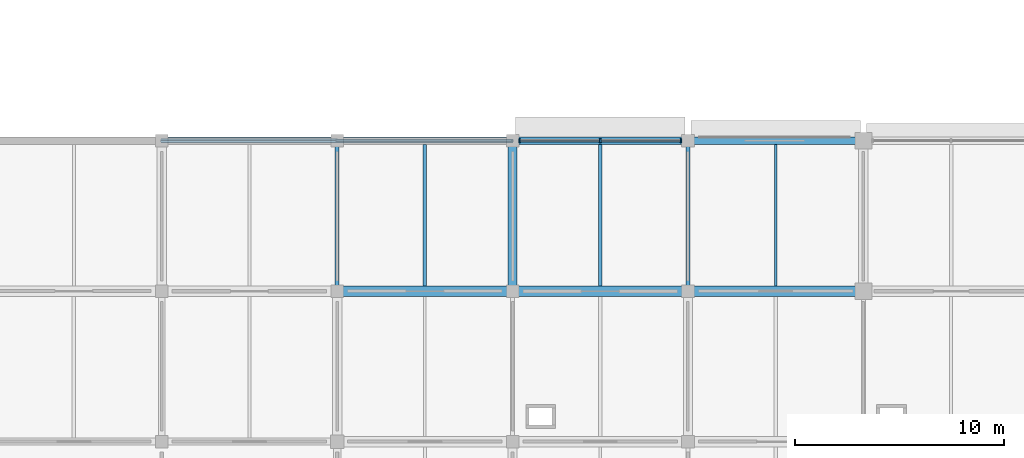
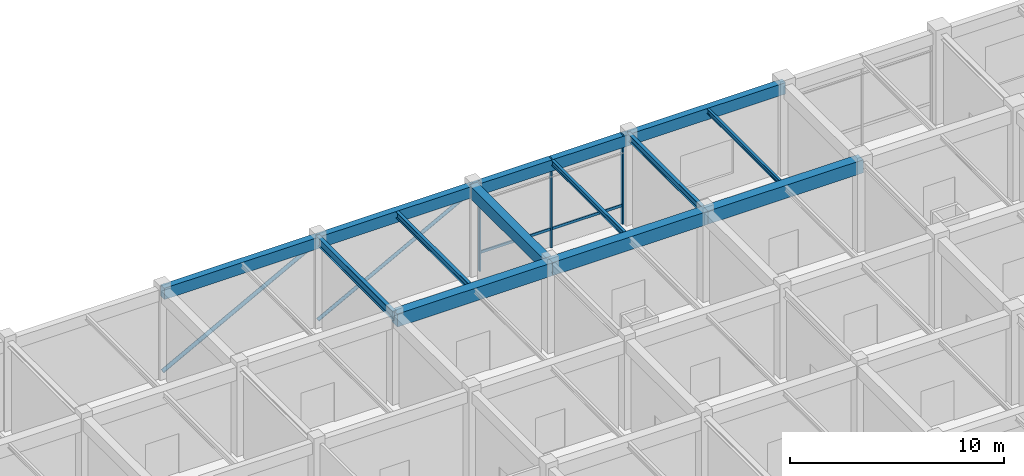
# One storey, part 11 of 38: 13 beams, 7 members, 1 element without a shape of its own.
"""IFC4 building model written with IfcOpenShell, lengths in metres."""

from ifc_helpers import new_model, si_unit, derived_unit, direction, frame, origin, origin_2d, place, context, subcontext, project, spatial, rectangle, hollow_circle, i_section, extrude, material, material_profile, profile_set, type_object, element, aggregate, save


model = new_model("IFC4")

# Units and contexts
model_context = context("Model", 3, precision=1e-05, world=origin(), true_north=direction((0.0, 1.0)))
body_context = subcontext(model_context, "Body", "Model", "MODEL_VIEW")
ifc_project = project(units=[si_unit("LENGTHUNIT", "METRE"), si_unit("AREAUNIT", "SQUARE_METRE"), si_unit("VOLUMEUNIT", "CUBIC_METRE"), si_unit("PLANEANGLEUNIT", "RADIAN"), si_unit("MASSUNIT", "GRAM", prefix="KILO"), derived_unit("THERMALTRANSMITTANCEUNIT", [(si_unit("MASSUNIT", "GRAM", prefix="KILO"), 1), (si_unit("TIMEUNIT", "SECOND"), -3), (si_unit("THERMODYNAMICTEMPERATUREUNIT", "KELVIN"), -1)])], contexts=[model_context])

# Site, building, storey
site_placement = place(None, origin())
site = spatial("IfcSite", under=ifc_project, at=site_placement, CompositionType="ELEMENT")
building_placement = place(site_placement, origin())
building = spatial("IfcBuilding", under=site, at=building_placement, Name="Veldstrom Oceanarium and Marine Research Institute", CompositionType="ELEMENT")
storey_placement = place(building_placement, frame((0.0, 0.0, 11.39990234375)))
storey = spatial("IfcBuildingStorey", under=building, at=storey_placement, Name="L02", CompositionType="ELEMENT", Elevation=11.39990234375)

# Curtain wall, members
ifc_material_1 = material(Name="Anodised Aluminium Framing", Category="aluminium")
curtain_wall_type = type_object("IfcCurtainWallType", Name="ARC-CW-CW02", PredefinedType="USERDEFINED", material=ifc_material_1)
curtain_wall_placement = place(storey_placement, origin())
curtain_wall = element("IfcCurtainWall", 1, at=curtain_wall_placement, inside=storey, type_object=curtain_wall_type, Name="Curtain Wall CW02 CW-L02-025", ObjectType="Curtain wall", PredefinedType="USERDEFINED")
ifc_material_2 = material(Name="Anodised Aluminium Framing", Category="aluminium")
ifc_material_profile_1 = material_profile(ifc_material_2, rectangle(XDim=0.074951171875, YDim=0.179931640625, at=origin_2d()), Name="ALU-MUL-75x180")
ifc_profile_set_1 = profile_set([ifc_material_profile_1], Name="Anodised Aluminium Framing")
member_type_1 = type_object("IfcMemberType", Name="ARC-MUL-ML1", PredefinedType="MULLION", material=ifc_profile_set_1)
member_1_placement = place(storey_placement, frame((50.739990234375, 72.0, 0.0), z_axis=(0.0, 0.0, 1.0), x_axis=(1.0, 0.0, 0.0)))
member_1 = element("IfcMember", 2, at=member_1_placement, type_object=member_type_1, Name="Curtain Wall Mullion CW-L02-025-MUL-1", PredefinedType="MULLION", context=body_context, shape_type="SweptSolid", body=[
    extrude(rectangle(XDim=0.074951171875, YDim=0.179931640625, at=origin_2d()), origin(), (0.0, 0.0, 1.0), 5.10009765625),
])
member_2_placement = place(storey_placement, frame((54.60009765625, 72.0, 0.0), z_axis=(0.0, 0.0, 1.0), x_axis=(1.0, 0.0, 0.0)))
member_2 = element("IfcMember", 3, at=member_2_placement, type_object=member_type_1, Name="Curtain Wall Mullion CW-L02-025-MUL-2", PredefinedType="MULLION", context=body_context, shape_type="SweptSolid", body=[
    extrude(rectangle(XDim=0.074951171875, YDim=0.179931640625, at=origin_2d()), origin(), (0.0, 0.0, 1.0), 5.10009765625),
])
member_3_placement = place(storey_placement, frame((58.4599609375, 72.0, 0.0), z_axis=(0.0, 0.0, 1.0), x_axis=(1.0, 0.0, 0.0)))
member_3 = element("IfcMember", 4, at=member_3_placement, type_object=member_type_1, Name="Curtain Wall Mullion CW-L02-025-MUL-3", PredefinedType="MULLION", context=body_context, shape_type="SweptSolid", body=[
    extrude(rectangle(XDim=0.074951171875, YDim=0.179931640625, at=origin_2d()), origin(), (0.0, 0.0, 1.0), 5.10009765625),
])
ifc_material_3 = material(Name="Anodised Aluminium Framing", Category="aluminium")
ifc_material_profile_2 = material_profile(ifc_material_3, rectangle(XDim=0.074951171875, YDim=0.14990234375, at=origin_2d()), Name="ALU-TRN-75x150")
ifc_profile_set_2 = profile_set([ifc_material_profile_2], Name="Anodised Aluminium Framing")
member_type_2 = type_object("IfcMemberType", Name="ARC-TRN-TR1", PredefinedType="USERDEFINED", material=ifc_profile_set_2)
member_4_placement = place(storey_placement, frame((50.780029296875, 72.0, 1.050048828125), z_axis=(1.0, 0.0, 0.0), x_axis=(0.0, 1.0, 0.0)))
member_4 = element("IfcMember", 5, at=member_4_placement, type_object=member_type_2, Name="Curtain Wall Transom CW-L02-025-TRN-1", ObjectType="Transom", PredefinedType="USERDEFINED", context=body_context, shape_type="SweptSolid", body=[
    extrude(rectangle(XDim=0.074951171875, YDim=0.14990234375, at=origin_2d()), origin(), (0.0, 0.0, 1.0), 3.780029296875),
])
member_5_placement = place(storey_placement, frame((54.639892578125, 72.0, 1.050048828125), z_axis=(1.0, 0.0, 0.0), x_axis=(0.0, 1.0, 0.0)))
member_5 = element("IfcMember", 6, at=member_5_placement, type_object=member_type_2, Name="Curtain Wall Transom CW-L02-025-TRN-2", ObjectType="Transom", PredefinedType="USERDEFINED", context=body_context, shape_type="SweptSolid", body=[
    extrude(rectangle(XDim=0.074951171875, YDim=0.14990234375, at=origin_2d()), origin(), (0.0, 0.0, 1.0), 3.780029296875),
])
aggregate(curtain_wall, [member_1, member_2, member_3, member_4, member_5])

# Beams
ifc_material_4 = material(Name="Concrete C40/50", Category="concrete")
ifc_material_profile_3 = material_profile(ifc_material_4, rectangle(XDim=0.5, YDim=0.75, at=origin_2d()), Name="RC-BM-500x750")
ifc_profile_set_3 = profile_set([ifc_material_profile_3], Name="Concrete C40/50")
beam_type_1 = type_object("IfcBeamType", Name="STR-BM-B03", PredefinedType="BEAM", material=ifc_profile_set_3)
beam_1_placement = place(storey_placement, frame((42.0, 64.800048828125, 4.72021484375), z_axis=(1.0, 0.0, 0.0), x_axis=(0.0, 1.0, 0.0)))
element("IfcBeam", 7, at=beam_1_placement, inside=storey, type_object=beam_type_1, Name="Primary Beam B03 L02-1528", PredefinedType="BEAM", context=body_context, shape_type="SweptSolid", body=[
    extrude(rectangle(XDim=0.5, YDim=0.75, at=origin_2d()), origin(), (0.0, 0.0, 1.0), 8.39990234375),
])
beam_2_placement = place(storey_placement, frame((50.39990234375, 64.800048828125, 4.72021484375), z_axis=(1.0, 0.0, 0.0), x_axis=(0.0, 1.0, 0.0)))
element("IfcBeam", 8, at=beam_2_placement, inside=storey, type_object=beam_type_1, Name="Primary Beam B03 L02-1539", PredefinedType="BEAM", context=body_context, shape_type="SweptSolid", body=[
    extrude(rectangle(XDim=0.5, YDim=0.75, at=origin_2d()), origin(), (0.0, 0.0, 1.0), 8.400146484375),
])
beam_3_placement = place(storey_placement, frame((58.800048828125, 64.800048828125, 4.72021484375), z_axis=(1.0, 0.0, 0.0), x_axis=(0.0, 1.0, 0.0)))
element("IfcBeam", 9, at=beam_3_placement, inside=storey, type_object=beam_type_1, Name="Primary Beam B03 L02-1550", PredefinedType="BEAM", context=body_context, shape_type="SweptSolid", body=[
    extrude(rectangle(XDim=0.5, YDim=0.75, at=origin_2d()), origin(), (0.0, 0.0, 1.0), 8.39990234375),
])
ifc_material_5 = material(Name="Concrete C40/50", Category="concrete")
ifc_material_profile_4 = material_profile(ifc_material_5, rectangle(XDim=0.449951171875, YDim=0.699951171875, at=origin_2d()), Name="RC-BM-450x700")
ifc_profile_set_4 = profile_set([ifc_material_profile_4], Name="Concrete C40/50")
beam_type_2 = type_object("IfcBeamType", Name="STR-BM-B04", PredefinedType="BEAM", material=ifc_profile_set_4)
beam_4_placement = place(storey_placement, frame((50.39990234375, 64.800048828125, 4.7451171875), z_axis=(0.0, 1.0, 0.0), x_axis=(-1.0, 0.0, 0.0)))
element("IfcBeam", 10, at=beam_4_placement, inside=storey, type_object=beam_type_2, Name="Primary Beam B04 L02-1664", PredefinedType="BEAM", context=body_context, shape_type="SweptSolid", body=[
    extrude(rectangle(XDim=0.449951171875, YDim=0.699951171875, at=origin_2d()), origin(), (0.0, 0.0, 1.0), 7.199951171875),
])
ifc_material_6 = material(Name="Steel S355JR", Category="steel")
ifc_material_profile_5 = material_profile(ifc_material_6, i_section(OverallWidth=0.199951171875, OverallDepth=0.5, WebThickness=0.01025390625, FlangeThickness=0.01611328125, FilletRadius=0.02099609375, at=origin_2d()), Name="IPE 500")
ifc_profile_set_5 = profile_set([ifc_material_profile_5], Name="Steel S355JR")
beam_type_3 = type_object("IfcBeamType", Name="STR-BM-SB6", PredefinedType="BEAM", material=ifc_profile_set_5)
beam_5_placement = place(storey_placement, frame((42.0, 64.800048828125, 4.84521484375), z_axis=(0.0, 1.0, 0.0), x_axis=(-1.0, 0.0, 0.0)))
element("IfcBeam", 11, at=beam_5_placement, inside=storey, type_object=beam_type_3, Name="Steel Tie Beam SB6 L02-1654", PredefinedType="BEAM", context=body_context, shape_type="SweptSolid", body=[
    extrude(i_section(OverallWidth=0.199951171875, OverallDepth=0.5, WebThickness=0.01025390625, FlangeThickness=0.01611328125, FilletRadius=0.02099609375, at=origin_2d()), origin(), (0.0, 0.0, 1.0), 7.199951171875),
])
ifc_material_7 = material(Name="Steel S355JR", Category="steel")
ifc_material_profile_6 = material_profile(ifc_material_7, i_section(OverallWidth=0.179931640625, OverallDepth=0.39990234375, WebThickness=0.008544921875, FlangeThickness=0.013427734375, FilletRadius=0.02099609375, at=origin_2d()), Name="IPE 400")
ifc_profile_set_6 = profile_set([ifc_material_profile_6], Name="Steel S355JR")
beam_type_4 = type_object("IfcBeamType", Name="STR-BM-SB8", PredefinedType="BEAM", material=ifc_profile_set_6)
beam_6_placement = place(storey_placement, frame((58.800048828125, 64.800048828125, 4.89501953125), z_axis=(0.0, 1.0, 0.0), x_axis=(-1.0, 0.0, 0.0)))
element("IfcBeam", 12, at=beam_6_placement, inside=storey, type_object=beam_type_4, Name="Steel Tie Beam SB8 L02-1674", PredefinedType="BEAM", context=body_context, shape_type="SweptSolid", body=[
    extrude(i_section(OverallWidth=0.179931640625, OverallDepth=0.39990234375, WebThickness=0.008544921875, FlangeThickness=0.013427734375, FilletRadius=0.02099609375, at=origin_2d()), origin(), (0.0, 0.0, 1.0), 7.199951171875),
])
ifc_material_8 = material(Name="Steel S355JR", Category="steel")
ifc_material_profile_7 = material_profile(ifc_material_8, i_section(OverallWidth=0.169921875, OverallDepth=0.360107421875, WebThickness=0.008056640625, FlangeThickness=0.0126953125, FilletRadius=0.01806640625, at=origin_2d()), Name="IPE 360")
ifc_profile_set_7 = profile_set([ifc_material_profile_7], Name="Steel S355JR")
beam_type_5 = type_object("IfcBeamType", Name="STR-JST-SJ1", PredefinedType="JOIST", material=ifc_profile_set_7)
beam_7_placement = place(storey_placement, frame((46.199951171875, 65.050048828125, 4.9150390625), z_axis=(0.0, 1.0, 0.0), x_axis=(-1.0, 0.0, 0.0)))
element("IfcBeam", 13, at=beam_7_placement, inside=storey, type_object=beam_type_5, Name="Secondary Joist SJ1 L02-1770", PredefinedType="JOIST", context=body_context, shape_type="SweptSolid", body=[
    extrude(i_section(OverallWidth=0.169921875, OverallDepth=0.360107421875, WebThickness=0.008056640625, FlangeThickness=0.0126953125, FilletRadius=0.01806640625, at=origin_2d()), origin(), (0.0, 0.0, 1.0), 6.77490234375),
])
ifc_material_9 = material(Name="Steel S355JR", Category="steel")
ifc_material_profile_8 = material_profile(ifc_material_9, i_section(OverallWidth=0.14990234375, OverallDepth=0.300048828125, WebThickness=0.007080078125, FlangeThickness=0.0107421875, FilletRadius=0.014892578125, at=origin_2d()), Name="IPE 300")
ifc_profile_set_8 = profile_set([ifc_material_profile_8], Name="Steel S355JR")
beam_type_6 = type_object("IfcBeamType", Name="STR-JST-SJ2", PredefinedType="JOIST", material=ifc_profile_set_8)
beam_8_placement = place(storey_placement, frame((54.60009765625, 65.050048828125, 4.945068359375), z_axis=(0.0, 1.0, 0.0), x_axis=(-1.0, 0.0, 0.0)))
element("IfcBeam", 14, at=beam_8_placement, inside=storey, type_object=beam_type_6, Name="Secondary Joist SJ2 L02-1779", PredefinedType="JOIST", context=body_context, shape_type="SweptSolid", body=[
    extrude(i_section(OverallWidth=0.14990234375, OverallDepth=0.300048828125, WebThickness=0.007080078125, FlangeThickness=0.0107421875, FilletRadius=0.014892578125, at=origin_2d()), origin(), (0.0, 0.0, 1.0), 6.77490234375),
])
ifc_material_10 = material(Name="Steel S355JR", Category="steel")
ifc_material_profile_9 = material_profile(ifc_material_10, i_section(OverallWidth=0.135009765625, OverallDepth=0.27001953125, WebThickness=0.006591796875, FlangeThickness=0.01025390625, FilletRadius=0.014892578125, at=origin_2d()), Name="IPE 270")
ifc_profile_set_9 = profile_set([ifc_material_profile_9], Name="Steel S355JR")
beam_type_7 = type_object("IfcBeamType", Name="STR-JST-SJ3", PredefinedType="JOIST", material=ifc_profile_set_9)
beam_9_placement = place(storey_placement, frame((63.0, 65.050048828125, 4.960205078125), z_axis=(0.0, 1.0, 0.0), x_axis=(-1.0, 0.0, 0.0)))
element("IfcBeam", 15, at=beam_9_placement, inside=storey, type_object=beam_type_7, Name="Secondary Joist SJ3 L02-1789", PredefinedType="JOIST", context=body_context, shape_type="SweptSolid", body=[
    extrude(i_section(OverallWidth=0.135009765625, OverallDepth=0.27001953125, WebThickness=0.006591796875, FlangeThickness=0.01025390625, FilletRadius=0.014892578125, at=origin_2d()), origin(), (0.0, 0.0, 1.0), 6.77490234375),
])

# Members
ifc_material_11 = material(Name="Steel S355JR", Category="steel")
ifc_material_profile_10 = material_profile(ifc_material_11, hollow_circle(Radius=0.109619140625, WallThickness=0.012451171875, at=origin_2d()), Name="CHS 219.1x12.5")
ifc_profile_set_10 = profile_set([ifc_material_profile_10], Name="Steel S355JR")
member_type_3 = type_object("IfcMemberType", Name="STR-MEM-BR1", PredefinedType="BRACE", material=ifc_profile_set_10)
member_6_placement = place(storey_placement, frame((33.60009765625, 72.0, 0.25), z_axis=(0.881477684796, 0.0, 0.472225678258), x_axis=(0.0, 1.0, 0.0)))
element("IfcMember", 16, at=member_6_placement, inside=storey, type_object=member_type_3, Name="Party-Wall Lateral Brace LB-L02-0622", PredefinedType="BRACE", context=body_context, shape_type="SweptSolid", body=[
    extrude(hollow_circle(Radius=0.109619140625, WallThickness=0.012451171875, at=origin_2d()), origin(), (0.0, 0.0, 1.0), 9.529296875),
])
ifc_material_12 = material(Name="Steel S355JR", Category="steel")
ifc_material_profile_11 = material_profile(ifc_material_12, hollow_circle(Radius=0.096923828125, WallThickness=0.010009765625, at=origin_2d()), Name="CHS 193.7x10")
ifc_profile_set_11 = profile_set([ifc_material_profile_11], Name="Steel S355JR")
member_type_4 = type_object("IfcMemberType", Name="STR-MEM-BR2", PredefinedType="BRACE", material=ifc_profile_set_11)
member_7_placement = place(storey_placement, frame((42.0, 72.0, 0.25), z_axis=(0.881477684796, 0.0, 0.472225678258), x_axis=(0.0, 1.0, 0.0)))
element("IfcMember", 17, at=member_7_placement, inside=storey, type_object=member_type_4, Name="Party-Wall Lateral Brace LB-L02-0623", PredefinedType="BRACE", context=body_context, shape_type="SweptSolid", body=[
    extrude(hollow_circle(Radius=0.096923828125, WallThickness=0.010009765625, at=origin_2d()), origin(), (0.0, 0.0, 1.0), 9.529296875),
])

# Beams
ifc_material_13 = material(Name="Concrete C40/50", Category="concrete")
ifc_material_profile_12 = material_profile(ifc_material_13, rectangle(XDim=0.35009765625, YDim=0.64990234375, at=origin_2d()), Name="RC-SPN-350x650")
ifc_profile_set_12 = profile_set([ifc_material_profile_12], Name="Concrete C40/50")
beam_type_8 = type_object("IfcBeamType", Name="STR-SPN-SP1", PredefinedType="SPANDREL", material=ifc_profile_set_12)
for number, where, z_axis, x_axis, name in (
    (18, (33.60009765625, 72.0, 4.77001953125), (1.0, 0.0, 0.0), (0.0, 1.0, 0.0), "Perimeter Spandrel SPB1 L02-1518"),
    (19, (42.0, 72.0, 4.77001953125), (1.0, 0.0, 0.0), (0.0, 1.0, 0.0), "Perimeter Spandrel SPB1 L02-1529"),
):
    element("IfcBeam", number, at=place(storey_placement, frame(where, z_axis=z_axis, x_axis=x_axis)), inside=storey, type_object=beam_type_8, Name=name, PredefinedType="SPANDREL", context=body_context, shape_type="SweptSolid", body=[
        extrude(rectangle(XDim=0.35009765625, YDim=0.64990234375, at=origin_2d()), origin(), (0.0, 0.0, 1.0), 8.39990234375),
    ])
beam_10_placement = place(storey_placement, frame((50.39990234375, 72.0, 4.77001953125), z_axis=(1.0, 0.0, 0.0), x_axis=(0.0, 1.0, 0.0)))
element("IfcBeam", 20, at=beam_10_placement, inside=storey, type_object=beam_type_8, Name="Perimeter Spandrel SPB1 L02-1540", PredefinedType="SPANDREL", context=body_context, shape_type="SweptSolid", body=[
    extrude(rectangle(XDim=0.35009765625, YDim=0.64990234375, at=origin_2d()), origin(), (0.0, 0.0, 1.0), 8.400146484375),
])
beam_11_placement = place(storey_placement, frame((58.800048828125, 72.0, 4.77001953125), z_axis=(1.0, 0.0, 0.0), x_axis=(0.0, 1.0, 0.0)))
element("IfcBeam", 21, at=beam_11_placement, inside=storey, type_object=beam_type_8, Name="Perimeter Spandrel SPB1 L02-1551", PredefinedType="SPANDREL", context=body_context, shape_type="SweptSolid", body=[
    extrude(rectangle(XDim=0.35009765625, YDim=0.64990234375, at=origin_2d()), origin(), (0.0, 0.0, 1.0), 8.39990234375),
])

save(model, "model.ifc")
